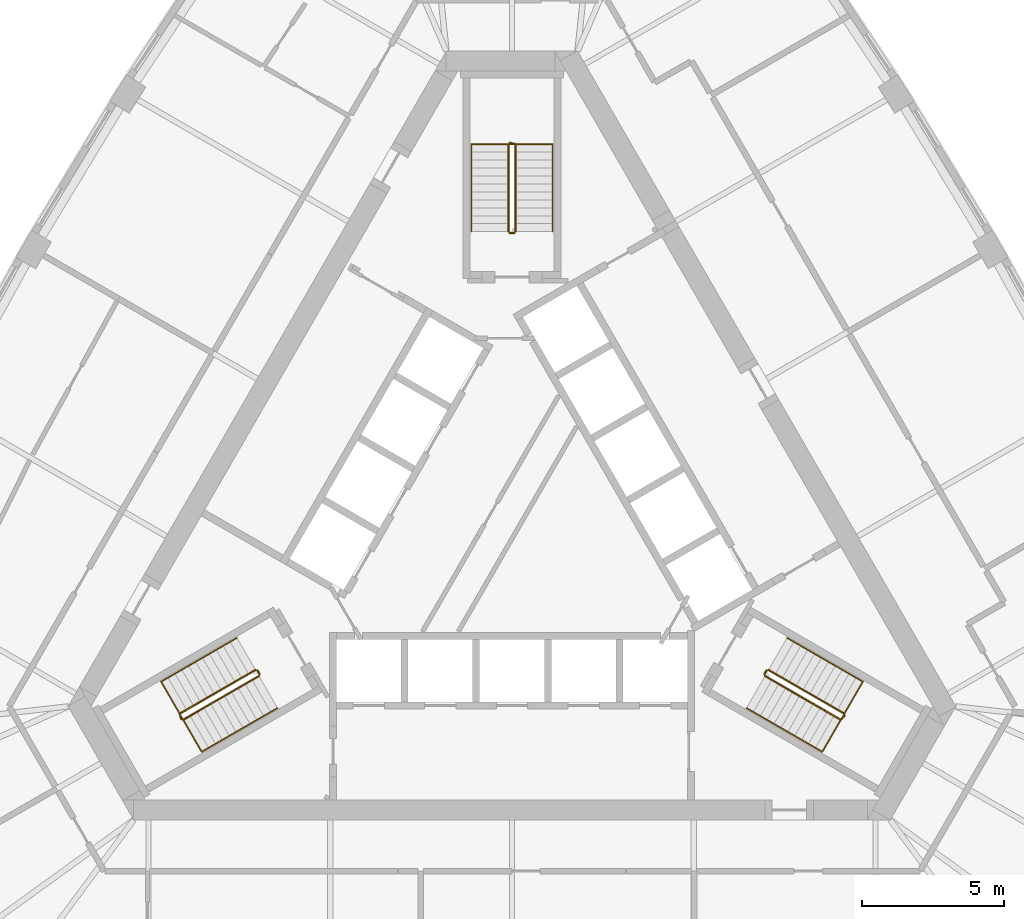
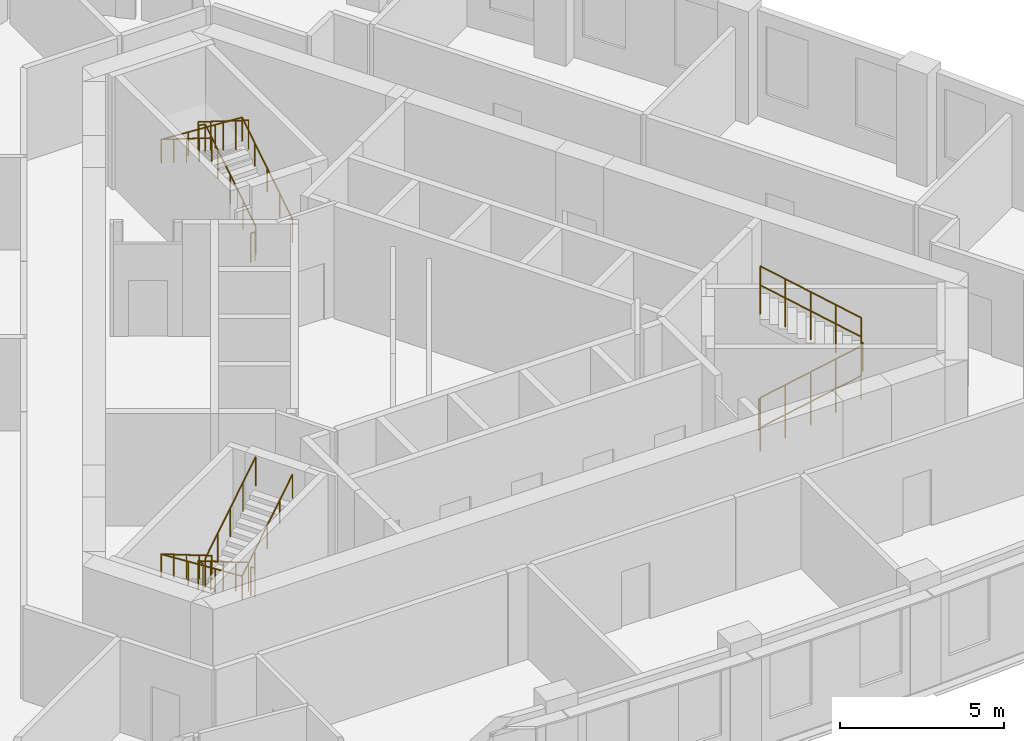
# One storey, part 10 of 10: 12 railings.
"""IFC4 building model written with IfcOpenShell, lengths in metres."""

from ifc_helpers import new_model, si_unit, direction, frame, origin, origin_2d, place, context, subcontext, project, spatial, circle, extrude, material, type_object, element, save


model = new_model("IFC4")

# Units and contexts
model_context = context("Model", 3, precision=1e-05, world=origin(), true_north=direction((0.0, 1.0)))
body_context = subcontext(model_context, "Body", "Model", "MODEL_VIEW")
ifc_project = project(units=[si_unit("LENGTHUNIT", "METRE"), si_unit("AREAUNIT", "SQUARE_METRE"), si_unit("VOLUMEUNIT", "CUBIC_METRE"), si_unit("PLANEANGLEUNIT", "RADIAN"), si_unit("MASSUNIT", "GRAM", prefix="KILO")], contexts=[model_context])

# Site, building, storey
site_placement = place(None, origin())
site = spatial("IfcSite", under=ifc_project, at=site_placement, CompositionType="ELEMENT")
building_placement = place(site_placement, origin())
building = spatial("IfcBuilding", under=site, at=building_placement, Name="Mestral Congress Tower", CompositionType="ELEMENT")
storey_placement = place(building_placement, frame((0.0, 0.0, 222.60009765625)))
storey = spatial("IfcBuildingStorey", under=building, at=storey_placement, Name="L52", CompositionType="ELEMENT", Elevation=222.60009765625)

# Railings
ifc_material_1 = material(Name="Steel balustrade", Category="steel")
railing_type_1 = type_object("IfcRailingType", Name="Stair guard 1100", PredefinedType="GUARDRAIL", material=ifc_material_1)
railing_1_placement = place(storey_placement, frame((8.90087890625, -5.283203125, 0.1748046875)))
element("IfcRailing", 1, at=railing_1_placement, inside=storey, type_object=railing_type_1, Name="L52 ST1 stair guard 1", PredefinedType="GUARDRAIL", context=body_context, shape_type="SweptSolid", body=[
    extrude(circle(Radius=0.02392578125, at=origin_2d()), frame((0.0, 0.0, 1.076171875), z_axis=(0.734364028329, -0.424015404183, 0.530019255228), x_axis=(0.500026652407, 0.866010015463, 0.0)), (0.0, 0.0, 1.0), 3.632080078125),
    extrude(circle(Radius=0.02392578125, at=origin_2d()), frame((2.667236328125, -1.5400390625, 3.0009765625), z_axis=(0.695164929852, 0.718850276695, 0.0), x_axis=(-0.718850276695, 0.695164929852, 0.0)), (0.0, 0.0, 1.0), 0.2060546875),
    extrude(circle(Radius=0.02099609375, at=origin_2d()), origin(), (0.0, 0.0, 1.0), 1.052001953125),
    extrude(circle(Radius=0.02099609375, at=origin_2d()), frame((0.666748046875, -0.385009765625, 0.481201171875)), (0.0, 0.0, 1.0), 1.052001953125),
    extrude(circle(Radius=0.02099609375, at=origin_2d()), frame((1.33349609375, -0.77001953125, 0.96240234375)), (0.0, 0.0, 1.0), 1.052001953125),
    extrude(circle(Radius=0.02099609375, at=origin_2d()), frame((2.00048828125, -1.155029296875, 1.44384765625)), (0.0, 0.0, 1.0), 1.052001953125),
    extrude(circle(Radius=0.02099609375, at=origin_2d()), frame((2.667236328125, -1.5400390625, 1.925048828125)), (0.0, 0.0, 1.0), 1.052001953125),
    extrude(circle(Radius=0.02099609375, at=origin_2d()), frame((2.810546875, -1.391845703125, 1.925048828125)), (0.0, 0.0, 1.0), 1.052001953125),
])
railing_2_placement = place(storey_placement, frame((11.693115234375, -6.606689453125, 2.27490234375)))
element("IfcRailing", 2, at=railing_2_placement, inside=storey, type_object=railing_type_1, Name="L52 ST1 stair guard 2", PredefinedType="GUARDRAIL", context=body_context, shape_type="SweptSolid", body=[
    extrude(circle(Radius=0.02392578125, at=origin_2d()), frame((0.0, 0.0, 1.076171875), z_axis=(-0.734364028329, 0.424015404183, 0.530019255228), x_axis=(-0.500026652407, -0.866010015463, 0.0)), (0.0, 0.0, 1.0), 3.632080078125),
    extrude(circle(Radius=0.02099609375, at=origin_2d()), origin(), (0.0, 0.0, 1.0), 1.052001953125),
    extrude(circle(Radius=0.02099609375, at=origin_2d()), frame((-0.666748046875, 0.385009765625, 0.481201171875)), (0.0, 0.0, 1.0), 1.052001953125),
    extrude(circle(Radius=0.02099609375, at=origin_2d()), frame((-1.33349609375, 0.77001953125, 0.96240234375)), (0.0, 0.0, 1.0), 1.052001953125),
    extrude(circle(Radius=0.02099609375, at=origin_2d()), frame((-2.00048828125, 1.155029296875, 1.44384765625)), (0.0, 0.0, 1.0), 1.052001953125),
    extrude(circle(Radius=0.02099609375, at=origin_2d()), frame((-2.667236328125, 1.5400390625, 1.925048828125)), (0.0, 0.0, 1.0), 1.052001953125),
])
railing_3_placement = place(storey_placement, frame((8.882568359375, -5.21484375, 0.0)))
element("IfcRailing", 3, at=railing_3_placement, inside=storey, type_object=railing_type_1, Name="L52 ST1 stair guard 3", PredefinedType="GUARDRAIL", context=body_context, shape_type="SweptSolid", body=[
    extrude(circle(Radius=0.02392578125, at=origin_2d()), frame((0.0, 0.0, 1.076171875), z_axis=(0.499816412211, 0.866131372301, 0.0), x_axis=(-0.866131372301, 0.499816412211, 0.0)), (0.0, 0.0, 1.0), 0.14990234375),
    extrude(circle(Radius=0.02099609375, at=origin_2d()), origin(), (0.0, 0.0, 1.0), 1.052001953125),
    extrude(circle(Radius=0.02099609375, at=origin_2d()), frame((0.074951171875, 0.1298828125, 0.0)), (0.0, 0.0, 1.0), 1.052001953125),
])
railing_4_placement = place(storey_placement, frame((0.125, 10.35009765625, 0.1748046875)))
element("IfcRailing", 4, at=railing_4_placement, inside=storey, type_object=railing_type_1, Name="L52 ST2 stair guard 1", PredefinedType="GUARDRAIL", context=body_context, shape_type="SweptSolid", body=[
    extrude(circle(Radius=0.02392578125, at=origin_2d()), frame((0.0, 0.0, 1.076171875), z_axis=(0.0, 0.847979421464, 0.530029150871), x_axis=(-1.0, 0.0, 0.0)), (0.0, 0.0, 1.0), 3.632080078125),
    extrude(circle(Radius=0.02392578125, at=origin_2d()), frame((0.0, 3.079833984375, 3.0009765625), z_axis=(-0.970072785993, 0.242814311512, 0.0), x_axis=(-0.242814311512, -0.970072785993, 0.0)), (0.0, 0.0, 1.0), 0.2060546875),
    extrude(circle(Radius=0.02099609375, at=origin_2d()), origin(), (0.0, 0.0, 1.0), 1.052001953125),
    extrude(circle(Radius=0.02099609375, at=origin_2d()), frame((0.0, 0.77001953125, 0.481201171875)), (0.0, 0.0, 1.0), 1.052001953125),
    extrude(circle(Radius=0.02099609375, at=origin_2d()), frame((0.0, 1.5400390625, 0.96240234375)), (0.0, 0.0, 1.0), 1.052001953125),
    extrude(circle(Radius=0.02099609375, at=origin_2d()), frame((0.0, 2.309814453125, 1.44384765625)), (0.0, 0.0, 1.0), 1.052001953125),
    extrude(circle(Radius=0.02099609375, at=origin_2d()), frame((0.0, 3.079833984375, 1.925048828125)), (0.0, 0.0, 1.0), 1.052001953125),
    extrude(circle(Radius=0.02099609375, at=origin_2d()), frame((-0.199951171875, 3.1298828125, 1.925048828125)), (0.0, 0.0, 1.0), 1.052001953125),
])
railing_5_placement = place(storey_placement, frame((-0.125, 13.429931640625, 2.27490234375)))
element("IfcRailing", 5, at=railing_5_placement, inside=storey, type_object=railing_type_1, Name="L52 ST2 stair guard 2", PredefinedType="GUARDRAIL", context=body_context, shape_type="SweptSolid", body=[
    extrude(circle(Radius=0.02392578125, at=origin_2d()), frame((0.0, 0.0, 1.076171875), z_axis=(0.0, -0.847979421464, 0.530029150871), x_axis=(1.0, 0.0, 0.0)), (0.0, 0.0, 1.0), 3.632080078125),
    extrude(circle(Radius=0.02099609375, at=origin_2d()), origin(), (0.0, 0.0, 1.0), 1.052001953125),
    extrude(circle(Radius=0.02099609375, at=origin_2d()), frame((0.0, -0.77001953125, 0.481201171875)), (0.0, 0.0, 1.0), 1.052001953125),
    extrude(circle(Radius=0.02099609375, at=origin_2d()), frame((0.0, -1.5400390625, 0.96240234375)), (0.0, 0.0, 1.0), 1.052001953125),
    extrude(circle(Radius=0.02099609375, at=origin_2d()), frame((0.0, -2.309814453125, 1.44384765625)), (0.0, 0.0, 1.0), 1.052001953125),
    extrude(circle(Radius=0.02099609375, at=origin_2d()), frame((0.0, -3.079833984375, 1.925048828125)), (0.0, 0.0, 1.0), 1.052001953125),
])
railing_6_placement = place(storey_placement, frame((0.074951171875, 10.300048828125, 0.0)))
element("IfcRailing", 6, at=railing_6_placement, inside=storey, type_object=railing_type_1, Name="L52 ST2 stair guard 3", PredefinedType="GUARDRAIL", context=body_context, shape_type="SweptSolid", body=[
    extrude(circle(Radius=0.02392578125, at=origin_2d()), frame((0.0, 0.0, 1.076171875), z_axis=(-1.0, 0.0, 0.0), x_axis=(0.0, -1.0, 0.0)), (0.0, 0.0, 1.0), 0.14990234375),
    extrude(circle(Radius=0.02099609375, at=origin_2d()), origin(), (0.0, 0.0, 1.0), 1.052001953125),
    extrude(circle(Radius=0.02099609375, at=origin_2d()), frame((-0.14990234375, 0.0, 0.0)), (0.0, 0.0, 1.0), 1.052001953125),
])
railing_7_placement = place(storey_placement, frame((-9.02587890625, -5.066650390625, 0.1748046875)))
element("IfcRailing", 7, at=railing_7_placement, inside=storey, type_object=railing_type_1, Name="L52 ST3 stair guard 1", PredefinedType="GUARDRAIL", context=body_context, shape_type="SweptSolid", body=[
    extrude(circle(Radius=0.02392578125, at=origin_2d()), frame((0.0, 0.0, 1.076171875), z_axis=(-0.734364028329, -0.424015404183, 0.530019255228), x_axis=(0.500026652407, -0.866010015463, 0.0)), (0.0, 0.0, 1.0), 3.632080078125),
    extrude(circle(Radius=0.02392578125, at=origin_2d()), frame((-2.667236328125, -1.5400390625, 3.0009765625), z_axis=(0.274721127897, -0.961523947641, 0.0), x_axis=(0.961523947641, 0.274721127897, 0.0)), (0.0, 0.0, 1.0), 0.2060546875),
    extrude(circle(Radius=0.02099609375, at=origin_2d()), origin(), (0.0, 0.0, 1.0), 1.052001953125),
    extrude(circle(Radius=0.02099609375, at=origin_2d()), frame((-0.666748046875, -0.385009765625, 0.481201171875)), (0.0, 0.0, 1.0), 1.052001953125),
    extrude(circle(Radius=0.02099609375, at=origin_2d()), frame((-1.33349609375, -0.77001953125, 0.96240234375)), (0.0, 0.0, 1.0), 1.052001953125),
    extrude(circle(Radius=0.02099609375, at=origin_2d()), frame((-2.00048828125, -1.155029296875, 1.44384765625)), (0.0, 0.0, 1.0), 1.052001953125),
    extrude(circle(Radius=0.02099609375, at=origin_2d()), frame((-2.667236328125, -1.5400390625, 1.925048828125)), (0.0, 0.0, 1.0), 1.052001953125),
    extrude(circle(Radius=0.02099609375, at=origin_2d()), frame((-2.610595703125, -1.73828125, 1.925048828125)), (0.0, 0.0, 1.0), 1.052001953125),
])
railing_8_placement = place(storey_placement, frame((-11.568115234375, -6.8232421875, 2.27490234375)))
element("IfcRailing", 8, at=railing_8_placement, inside=storey, type_object=railing_type_1, Name="L52 ST3 stair guard 2", PredefinedType="GUARDRAIL", context=body_context, shape_type="SweptSolid", body=[
    extrude(circle(Radius=0.02392578125, at=origin_2d()), frame((0.0, 0.0, 1.076171875), z_axis=(0.734364028329, 0.424015404183, 0.530019255228), x_axis=(-0.500026652407, 0.866010015463, 0.0)), (0.0, 0.0, 1.0), 3.632080078125),
    extrude(circle(Radius=0.02099609375, at=origin_2d()), origin(), (0.0, 0.0, 1.0), 1.052001953125),
    extrude(circle(Radius=0.02099609375, at=origin_2d()), frame((0.666748046875, 0.385009765625, 0.481201171875)), (0.0, 0.0, 1.0), 1.052001953125),
    extrude(circle(Radius=0.02099609375, at=origin_2d()), frame((1.33349609375, 0.77001953125, 0.96240234375)), (0.0, 0.0, 1.0), 1.052001953125),
    extrude(circle(Radius=0.02099609375, at=origin_2d()), frame((2.00048828125, 1.155029296875, 1.44384765625)), (0.0, 0.0, 1.0), 1.052001953125),
    extrude(circle(Radius=0.02099609375, at=origin_2d()), frame((2.667236328125, 1.5400390625, 1.925048828125)), (0.0, 0.0, 1.0), 1.052001953125),
])
railing_9_placement = place(storey_placement, frame((-8.95751953125, -5.0849609375, 0.0)))
element("IfcRailing", 9, at=railing_9_placement, inside=storey, type_object=railing_type_1, Name="L52 ST3 stair guard 3", PredefinedType="GUARDRAIL", context=body_context, shape_type="SweptSolid", body=[
    extrude(circle(Radius=0.02392578125, at=origin_2d()), frame((0.0, 0.0, 1.076171875), z_axis=(0.499816412211, -0.866131372301, 0.0), x_axis=(0.866131372301, 0.499816412211, 0.0)), (0.0, 0.0, 1.0), 0.14990234375),
    extrude(circle(Radius=0.02099609375, at=origin_2d()), origin(), (0.0, 0.0, 1.0), 1.052001953125),
    extrude(circle(Radius=0.02099609375, at=origin_2d()), frame((0.074951171875, -0.1298828125, 0.0)), (0.0, 0.0, 1.0), 1.052001953125),
])
ifc_material_2 = material(Name="Steel handrail", Category="steel")
railing_type_2 = type_object("IfcRailingType", Name="Stair handrail 900", PredefinedType="HANDRAIL", material=ifc_material_2)
railing_10_placement = place(storey_placement, frame((8.2509765625, -6.4091796875, 0.1748046875)))
element("IfcRailing", 10, at=railing_10_placement, inside=storey, type_object=railing_type_2, Name="L52 ST1 stair handrail 1", PredefinedType="HANDRAIL", context=body_context, shape_type="SweptSolid", body=[
    extrude(circle(Radius=0.02392578125, at=origin_2d()), frame((0.0, 0.0, 0.8759765625), z_axis=(0.734384958227, -0.423960268333, 0.530034361155), x_axis=(0.499967199496, 0.866044340336, 0.0)), (0.0, 0.0, 1.0), 3.6318359375),
    extrude(circle(Radius=0.02392578125, at=origin_2d()), frame((2.667236328125, -1.539794921875, 2.80078125), z_axis=(0.499095769026, 0.864375386171, 0.061307463833), x_axis=(-0.866004402611, 0.500036373335, 0.0)), (0.0, 0.0, 1.0), 2.855224609375),
    extrude(circle(Radius=0.02392578125, at=origin_2d()), frame((4.09228515625, 0.92822265625, 2.97607421875), z_axis=(-0.734394994316, 0.423994474112, 0.52999309264), x_axis=(-0.499992328818, -0.866029832698, 0.0)), (0.0, 0.0, 1.0), 3.63232421875),
    extrude(circle(Radius=0.02099609375, at=origin_2d()), origin(), (0.0, 0.0, 1.0), 0.851806640625),
    extrude(circle(Radius=0.02099609375, at=origin_2d()), frame((0.666748046875, -0.385009765625, 0.481201171875)), (0.0, 0.0, 1.0), 0.851806640625),
    extrude(circle(Radius=0.02099609375, at=origin_2d()), frame((1.33349609375, -0.77001953125, 0.96240234375)), (0.0, 0.0, 1.0), 0.851806640625),
    extrude(circle(Radius=0.02099609375, at=origin_2d()), frame((2.00048828125, -1.15478515625, 1.44384765625)), (0.0, 0.0, 1.0), 0.851806640625),
    extrude(circle(Radius=0.02099609375, at=origin_2d()), frame((2.667236328125, -1.539794921875, 1.925048828125)), (0.0, 0.0, 1.0), 0.851806640625),
    extrude(circle(Radius=0.02099609375, at=origin_2d()), frame((3.142333984375, -0.717041015625, 1.9833984375)), (0.0, 0.0, 1.0), 0.851806640625),
    extrude(circle(Radius=0.02099609375, at=origin_2d()), frame((3.6171875, 0.10546875, 2.041748046875)), (0.0, 0.0, 1.0), 0.851806640625),
    extrude(circle(Radius=0.02099609375, at=origin_2d()), frame((4.09228515625, 0.92822265625, 2.10009765625)), (0.0, 0.0, 1.0), 0.851806640625),
    extrude(circle(Radius=0.02099609375, at=origin_2d()), frame((3.42529296875, 1.313232421875, 2.581298828125)), (0.0, 0.0, 1.0), 0.851806640625),
    extrude(circle(Radius=0.02099609375, at=origin_2d()), frame((2.758544921875, 1.6982421875, 3.0625)), (0.0, 0.0, 1.0), 0.851806640625),
    extrude(circle(Radius=0.02099609375, at=origin_2d()), frame((2.091796875, 2.083251953125, 3.5439453125)), (0.0, 0.0, 1.0), 0.851806640625),
    extrude(circle(Radius=0.02099609375, at=origin_2d()), frame((1.4248046875, 2.46826171875, 4.025146484375)), (0.0, 0.0, 1.0), 0.851806640625),
])
railing_11_placement = place(storey_placement, frame((1.425048828125, 10.35009765625, 0.1748046875)))
element("IfcRailing", 11, at=railing_11_placement, inside=storey, type_object=railing_type_2, Name="L52 ST2 stair handrail 1", PredefinedType="HANDRAIL", context=body_context, shape_type="SweptSolid", body=[
    extrude(circle(Radius=0.02392578125, at=origin_2d()), frame((0.0, 0.0, 0.8759765625), z_axis=(0.0, 0.847979421464, 0.530029150871), x_axis=(-1.0, 0.0, 0.0)), (0.0, 0.0, 1.0), 3.632080078125),
    extrude(circle(Radius=0.02392578125, at=origin_2d()), frame((0.0, 3.079833984375, 2.80078125), z_axis=(-0.998119201106, 0.0, 0.061303021003), x_axis=(0.0, -1.0, 0.0)), (0.0, 0.0, 1.0), 2.85546875),
    extrude(circle(Radius=0.02392578125, at=origin_2d()), frame((-2.85009765625, 3.079833984375, 2.97607421875), z_axis=(0.0, -0.847979421464, 0.530029150871), x_axis=(1.0, 0.0, 0.0)), (0.0, 0.0, 1.0), 3.632080078125),
    extrude(circle(Radius=0.02099609375, at=origin_2d()), origin(), (0.0, 0.0, 1.0), 0.851806640625),
    extrude(circle(Radius=0.02099609375, at=origin_2d()), frame((0.0, 0.77001953125, 0.481201171875)), (0.0, 0.0, 1.0), 0.851806640625),
    extrude(circle(Radius=0.02099609375, at=origin_2d()), frame((0.0, 1.5400390625, 0.96240234375)), (0.0, 0.0, 1.0), 0.851806640625),
    extrude(circle(Radius=0.02099609375, at=origin_2d()), frame((0.0, 2.309814453125, 1.44384765625)), (0.0, 0.0, 1.0), 0.851806640625),
    extrude(circle(Radius=0.02099609375, at=origin_2d()), frame((0.0, 3.079833984375, 1.925048828125)), (0.0, 0.0, 1.0), 0.851806640625),
    extrude(circle(Radius=0.02099609375, at=origin_2d()), frame((-0.949951171875, 3.079833984375, 1.9833984375)), (0.0, 0.0, 1.0), 0.851806640625),
    extrude(circle(Radius=0.02099609375, at=origin_2d()), frame((-1.900146484375, 3.079833984375, 2.041748046875)), (0.0, 0.0, 1.0), 0.851806640625),
    extrude(circle(Radius=0.02099609375, at=origin_2d()), frame((-2.85009765625, 3.079833984375, 2.10009765625)), (0.0, 0.0, 1.0), 0.851806640625),
    extrude(circle(Radius=0.02099609375, at=origin_2d()), frame((-2.85009765625, 2.309814453125, 2.581298828125)), (0.0, 0.0, 1.0), 0.851806640625),
    extrude(circle(Radius=0.02099609375, at=origin_2d()), frame((-2.85009765625, 1.5400390625, 3.0625)), (0.0, 0.0, 1.0), 0.851806640625),
    extrude(circle(Radius=0.02099609375, at=origin_2d()), frame((-2.85009765625, 0.77001953125, 3.5439453125)), (0.0, 0.0, 1.0), 0.851806640625),
    extrude(circle(Radius=0.02099609375, at=origin_2d()), frame((-2.85009765625, 0.0, 4.025146484375)), (0.0, 0.0, 1.0), 0.851806640625),
])
railing_12_placement = place(storey_placement, frame((-9.67578125, -3.94091796875, 0.1748046875)))
element("IfcRailing", 12, at=railing_12_placement, inside=storey, type_object=railing_type_2, Name="L52 ST3 stair handrail 1", PredefinedType="HANDRAIL", context=body_context, shape_type="SweptSolid", body=[
    extrude(circle(Radius=0.02392578125, at=origin_2d()), frame((0.0, 0.0, 0.8759765625), z_axis=(-0.734394994316, -0.423994474112, 0.52999309264), x_axis=(0.499992328818, -0.866029832698, 0.0)), (0.0, 0.0, 1.0), 3.63232421875),
    extrude(circle(Radius=0.02392578125, at=origin_2d()), frame((-2.66748046875, -1.5400390625, 2.80078125), z_axis=(0.499095769026, -0.864375386171, 0.061307463833), x_axis=(0.866004402611, 0.500036373335, 0.0)), (0.0, 0.0, 1.0), 2.855224609375),
    extrude(circle(Radius=0.02392578125, at=origin_2d()), frame((-1.242431640625, -4.008056640625, 2.97607421875), z_axis=(0.734384958227, 0.423960268333, 0.530034361155), x_axis=(-0.499967199496, 0.866044340336, 0.0)), (0.0, 0.0, 1.0), 3.6318359375),
    extrude(circle(Radius=0.02099609375, at=origin_2d()), origin(), (0.0, 0.0, 1.0), 0.851806640625),
    extrude(circle(Radius=0.02099609375, at=origin_2d()), frame((-0.6669921875, -0.385009765625, 0.481201171875)), (0.0, 0.0, 1.0), 0.851806640625),
    extrude(circle(Radius=0.02099609375, at=origin_2d()), frame((-1.333740234375, -0.77001953125, 0.96240234375)), (0.0, 0.0, 1.0), 0.851806640625),
    extrude(circle(Radius=0.02099609375, at=origin_2d()), frame((-2.00048828125, -1.155029296875, 1.44384765625)), (0.0, 0.0, 1.0), 0.851806640625),
    extrude(circle(Radius=0.02099609375, at=origin_2d()), frame((-2.66748046875, -1.5400390625, 1.925048828125)), (0.0, 0.0, 1.0), 0.851806640625),
    extrude(circle(Radius=0.02099609375, at=origin_2d()), frame((-2.1923828125, -2.36279296875, 1.9833984375)), (0.0, 0.0, 1.0), 0.851806640625),
    extrude(circle(Radius=0.02099609375, at=origin_2d()), frame((-1.717529296875, -3.185302734375, 2.041748046875)), (0.0, 0.0, 1.0), 0.851806640625),
    extrude(circle(Radius=0.02099609375, at=origin_2d()), frame((-1.242431640625, -4.008056640625, 2.10009765625)), (0.0, 0.0, 1.0), 0.851806640625),
    extrude(circle(Radius=0.02099609375, at=origin_2d()), frame((-0.57568359375, -3.623046875, 2.581298828125)), (0.0, 0.0, 1.0), 0.851806640625),
    extrude(circle(Radius=0.02099609375, at=origin_2d()), frame((0.09130859375, -3.23828125, 3.0625)), (0.0, 0.0, 1.0), 0.851806640625),
    extrude(circle(Radius=0.02099609375, at=origin_2d()), frame((0.758056640625, -2.853271484375, 3.5439453125)), (0.0, 0.0, 1.0), 0.851806640625),
    extrude(circle(Radius=0.02099609375, at=origin_2d()), frame((1.4248046875, -2.46826171875, 4.025146484375)), (0.0, 0.0, 1.0), 0.851806640625),
])

save(model, "model.ifc")
